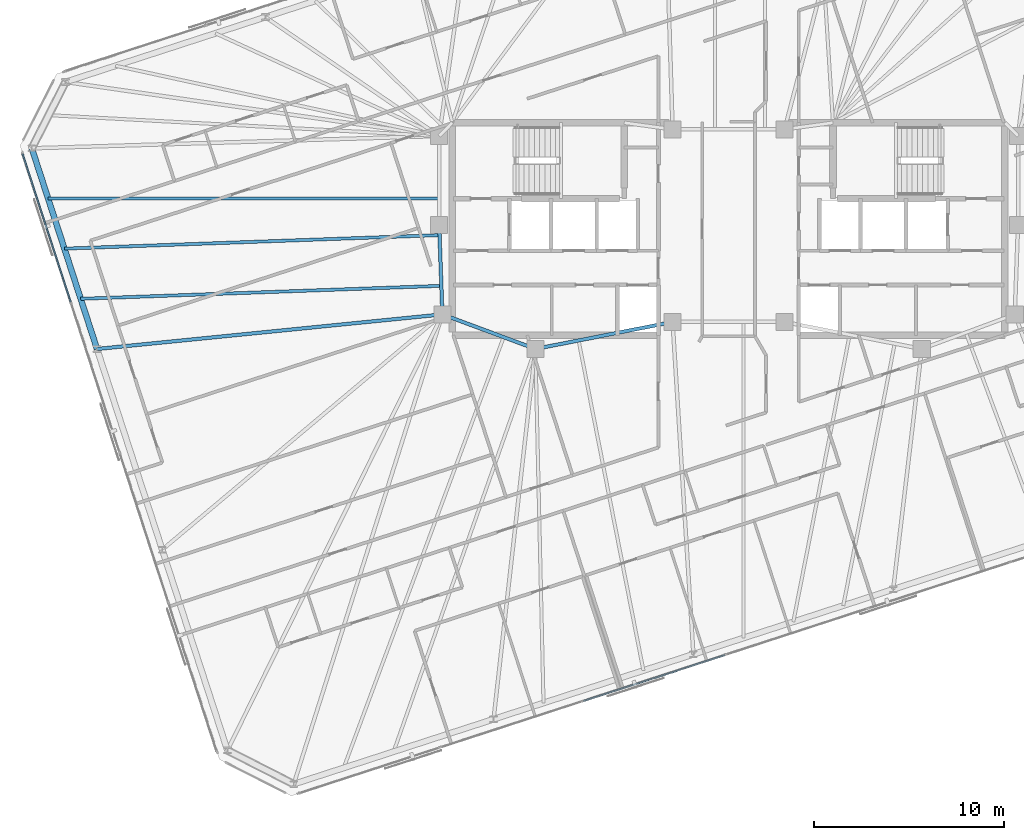
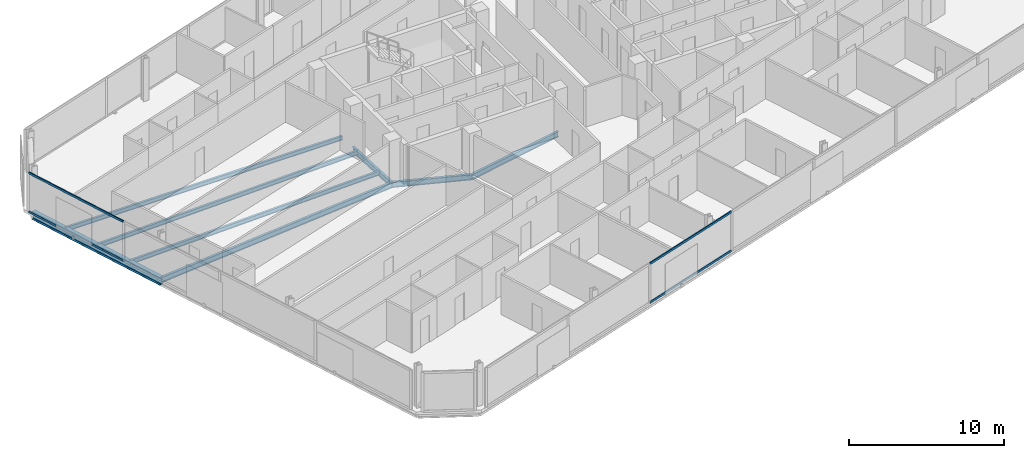
# One storey, part 6 of 20: 8 beams, 4 members, 2 elements without a shape of their own.
"""IFC4 building model written with IfcOpenShell, lengths in metres."""

from ifc_helpers import new_model, si_unit, direction, frame, origin, origin_2d, place, context, subcontext, project, spatial, rectangle, i_section, extrude, material, material_profile, profile_set, type_object, element, aggregate, save


model = new_model("IFC4")

# Units and contexts
model_context = context("Model", 3, precision=1e-05, world=origin(), true_north=direction((0.0, 1.0)))
body_context = subcontext(model_context, "Body", "Model", "MODEL_VIEW")
ifc_project = project(units=[si_unit("LENGTHUNIT", "METRE"), si_unit("AREAUNIT", "SQUARE_METRE"), si_unit("VOLUMEUNIT", "CUBIC_METRE"), si_unit("PLANEANGLEUNIT", "RADIAN"), si_unit("MASSUNIT", "GRAM", prefix="KILO")], contexts=[model_context])

# Site, building, storey
site_placement = place(None, origin())
site = spatial("IfcSite", under=ifc_project, at=site_placement, CompositionType="ELEMENT")
building_placement = place(site_placement, origin())
building = spatial("IfcBuilding", under=site, at=building_placement, Name="Menara Jurai Vektor", CompositionType="ELEMENT")
storey_placement = place(building_placement, frame((0.0, 0.0, 227.64990234375)))
storey = spatial("IfcBuildingStorey", under=building, at=storey_placement, Name="L60", CompositionType="ELEMENT", Elevation=227.64990234375)

# Curtain wall, members
ifc_material_1 = material(Name="Anodised Pale Aluminium & Low-E Double Glazing", Category="aluminium")
curtain_wall_type = type_object("IfcCurtainWallType", Name="CW-BLK4", PredefinedType="NOTDEFINED", material=ifc_material_1)
curtain_wall_1_placement = place(storey_placement, origin())
curtain_wall_1 = element("IfcCurtainWall", 1, at=curtain_wall_1_placement, inside=storey, type_object=curtain_wall_type, Name="Unitised Curtain Wall L60 F01", PredefinedType="NOTDEFINED")
ifc_material_2 = material(Name="Anodised Pale Aluminium Transom", Category="aluminium")
ifc_material_profile_1 = material_profile(ifc_material_2, rectangle(XDim=0.080078125, YDim=0.1650390625, at=origin_2d()), Name="ALU TRN 80x165")
ifc_profile_set_1 = profile_set([ifc_material_profile_1], Name="Anodised Pale Aluminium Transom")
member_type = type_object("IfcMemberType", Name="CW-BLK4-TRN", PredefinedType="USERDEFINED", material=ifc_profile_set_1)
member_1_placement = place(storey_placement, frame((-7.639404296875, -24.86669921875, 0.0400390625), z_axis=(0.951059330237, 0.309008333817, 0.0), x_axis=(-0.309008333817, 0.951059330237, 0.0)))
member_1 = element("IfcMember", 2, at=member_1_placement, type_object=member_type, Name="CW-04 transom 3.1", ObjectType="TRANSOM", PredefinedType="USERDEFINED", context=body_context, shape_type="SweptSolid", body=[
    extrude(rectangle(XDim=0.080078125, YDim=0.1650390625, at=origin_2d()), origin(), (0.0, 0.0, 1.0), 7.8115234375),
])
member_2_placement = place(storey_placement, frame((-7.639404296875, -24.86669921875, 3.085205078125), z_axis=(0.951059330237, 0.309008333817, 0.0), x_axis=(-0.309008333817, 0.951059330237, 0.0)))
member_2 = element("IfcMember", 3, at=member_2_placement, type_object=member_type, Name="CW-04 transom 3.2", ObjectType="TRANSOM", PredefinedType="USERDEFINED", context=body_context, shape_type="SweptSolid", body=[
    extrude(rectangle(XDim=0.080078125, YDim=0.1650390625, at=origin_2d()), origin(), (0.0, 0.0, 1.0), 7.8115234375),
])
aggregate(curtain_wall_1, [member_1, member_2])

curtain_wall_2_placement = place(storey_placement, origin())
curtain_wall_2 = element("IfcCurtainWall", 4, at=curtain_wall_2_placement, inside=storey, type_object=curtain_wall_type, Name="Unitised Curtain Wall L60 F07", PredefinedType="NOTDEFINED")
member_3_placement = place(storey_placement, frame((-37.19384765625, 3.950927734375, 0.0400390625), z_axis=(0.309010577384, -0.951058601278, 0.0), x_axis=(0.951058601278, 0.309010577384, 0.0)))
member_3 = element("IfcMember", 5, at=member_3_placement, type_object=member_type, Name="CW-04 transom 1.1", ObjectType="TRANSOM", PredefinedType="USERDEFINED", context=body_context, shape_type="SweptSolid", body=[
    extrude(rectangle(XDim=0.080078125, YDim=0.1650390625, at=origin_2d()), origin(), (0.0, 0.0, 1.0), 8.18994140625),
])
member_4_placement = place(storey_placement, frame((-37.19384765625, 3.950927734375, 3.085205078125), z_axis=(0.309010577384, -0.951058601278, 0.0), x_axis=(0.951058601278, 0.309010577384, 0.0)))
member_4 = element("IfcMember", 6, at=member_4_placement, type_object=member_type, Name="CW-04 transom 1.2", ObjectType="TRANSOM", PredefinedType="USERDEFINED", context=body_context, shape_type="SweptSolid", body=[
    extrude(rectangle(XDim=0.080078125, YDim=0.1650390625, at=origin_2d()), origin(), (0.0, 0.0, 1.0), 8.18994140625),
])
aggregate(curtain_wall_2, [member_3, member_4])

# Beams
ifc_material_3 = material(Name="Steel S355", Category="steel")
ifc_material_profile_2 = material_profile(ifc_material_3, i_section(OverallWidth=0.18505859375, OverallDepth=0.429931640625, WebThickness=0.010986328125, FlangeThickness=0.01806640625, at=origin_2d()), Name="PG 430x185x76")
ifc_profile_set_2 = profile_set([ifc_material_profile_2], Name="Steel S355")
beam_type_1 = type_object("IfcBeamType", Name="STR-BM-430", PredefinedType="BEAM", material=ifc_profile_set_2)
beam_1_placement = place(storey_placement, frame((-15.080078125, -4.5, -0.43994140625), z_axis=(-0.035977314146, 0.999352606874, 0.0), x_axis=(-0.999352606874, -0.035977314146, 0.0)))
element("IfcBeam", 7, at=beam_1_placement, inside=storey, type_object=beam_type_1, Name="Core Ring Header Girder L60-CHW-W2", PredefinedType="BEAM", context=body_context, shape_type="SweptSolid", body=[
    extrude(i_section(OverallWidth=0.18505859375, OverallDepth=0.429931640625, WebThickness=0.010986328125, FlangeThickness=0.01806640625, at=origin_2d()), origin(), (0.0, 0.0, 1.0), 4.72314453125),
])
beam_2_placement = place(storey_placement, frame((-15.080078125, -4.5, -0.43994140625), z_axis=(0.937424400887, -0.348188874925, 0.0), x_axis=(0.348188874925, 0.937424400887, 0.0)))
element("IfcBeam", 8, at=beam_2_placement, inside=storey, type_object=beam_type_1, Name="Core Ring Header Girder L60-CHW-S1", PredefinedType="BEAM", context=body_context, shape_type="SweptSolid", body=[
    extrude(i_section(OverallWidth=0.18505859375, OverallDepth=0.429931640625, WebThickness=0.010986328125, FlangeThickness=0.01806640625, at=origin_2d()), origin(), (0.0, 0.0, 1.0), 5.227294921875),
])
beam_3_placement = place(storey_placement, frame((-10.179931640625, -6.320068359375, -0.43994140625), z_axis=(0.981249044334, 0.192744164614, 0.0), x_axis=(-0.192744164614, 0.981249044334, 0.0)))
element("IfcBeam", 9, at=beam_3_placement, inside=storey, type_object=beam_type_1, Name="Core Ring Header Girder L60-CHW-S2", PredefinedType="BEAM", context=body_context, shape_type="SweptSolid", body=[
    extrude(i_section(OverallWidth=0.18505859375, OverallDepth=0.429931640625, WebThickness=0.010986328125, FlangeThickness=0.01806640625, at=origin_2d()), origin(), (0.0, 0.0, 1.0), 7.3681640625),
])
beam_4_placement = place(storey_placement, frame((-33.277587890625, -6.322509765625, -0.43994140625), z_axis=(0.995022243563, 0.099653072276, 0.0), x_axis=(-0.099653072276, 0.995022243563, 0.0)))
element("IfcBeam", 10, at=beam_4_placement, inside=storey, type_object=beam_type_1, Name="Radial Floor Girder L60-W2", PredefinedType="BEAM", context=body_context, shape_type="SweptSolid", body=[
    extrude(i_section(OverallWidth=0.18505859375, OverallDepth=0.429931640625, WebThickness=0.010986328125, FlangeThickness=0.01806640625, at=origin_2d()), origin(), (0.0, 0.0, 1.0), 18.28857421875),
])
ifc_material_profile_3 = material_profile(ifc_material_3, i_section(OverallWidth=0.1650390625, OverallDepth=0.330078125, WebThickness=0.009033203125, FlangeThickness=0.013916015625, at=origin_2d()), Name="PG 330x165x46")
ifc_profile_set_3 = profile_set([ifc_material_profile_3], Name="Steel S355")
beam_type_2 = type_object("IfcBeamType", Name="STR-JS-330", PredefinedType="JOIST", material=ifc_profile_set_3)
beam_5_placement = place(storey_placement, frame((-35.8544921875, 1.6083984375, -0.389892578125), z_axis=(1.0, 0.0, 0.0), x_axis=(0.0, 1.0, 0.0)))
element("IfcBeam", 11, at=beam_5_placement, inside=storey, type_object=beam_type_2, Name="Radial Secondary Floor Joist L60-JS28", PredefinedType="JOIST", context=body_context, shape_type="SweptSolid", body=[
    extrude(i_section(OverallWidth=0.1650390625, OverallDepth=0.330078125, WebThickness=0.009033203125, FlangeThickness=0.013916015625, at=origin_2d()), origin(), (0.0, 0.0, 1.0), 20.6044921875),
])
beam_6_placement = place(storey_placement, frame((-34.99560546875, -1.03515625, -0.389892578125), z_axis=(0.999351957959, 0.035995334734, 0.0), x_axis=(-0.035995334734, 0.999351957959, 0.0)))
element("IfcBeam", 12, at=beam_6_placement, inside=storey, type_object=beam_type_2, Name="Radial Secondary Floor Joist L60-JS29", PredefinedType="JOIST", context=body_context, shape_type="SweptSolid", body=[
    extrude(i_section(OverallWidth=0.1650390625, OverallDepth=0.330078125, WebThickness=0.009033203125, FlangeThickness=0.013916015625, at=origin_2d()), origin(), (0.0, 0.0, 1.0), 19.77783203125),
])
beam_7_placement = place(storey_placement, frame((-34.136474609375, -3.6787109375, -0.389892578125), z_axis=(0.999352161922, 0.035989671603, 0.0), x_axis=(-0.035989671603, 0.999352161922, 0.0)))
element("IfcBeam", 13, at=beam_7_placement, inside=storey, type_object=beam_type_2, Name="Radial Secondary Floor Joist L60-JS30", PredefinedType="JOIST", context=body_context, shape_type="SweptSolid", body=[
    extrude(i_section(OverallWidth=0.1650390625, OverallDepth=0.330078125, WebThickness=0.009033203125, FlangeThickness=0.013916015625, at=origin_2d()), origin(), (0.0, 0.0, 1.0), 19.014404296875),
])
ifc_material_profile_4 = material_profile(ifc_material_3, i_section(OverallWidth=0.306884765625, OverallDepth=0.6201171875, WebThickness=0.013916015625, FlangeThickness=0.02392578125, FilletRadius=0.01708984375, at=origin_2d()), Name="UKB 610x305x179")
ifc_profile_set_4 = profile_set([ifc_material_profile_4], Name="Steel S355")
beam_type_3 = type_object("IfcBeamType", Name="STR-SP-610", PredefinedType="SPANDREL", material=ifc_profile_set_4)
beam_8_placement = place(storey_placement, frame((-36.71337890625, 4.251953125, -0.534912109375), z_axis=(0.309012092614, -0.95105810896, 0.0), x_axis=(0.95105810896, 0.309012092614, 0.0)))
element("IfcBeam", 14, at=beam_8_placement, inside=storey, type_object=beam_type_3, Name="Exoskeleton Spandrel Beam L60-17", PredefinedType="SPANDREL", context=body_context, shape_type="SweptSolid", body=[
    extrude(i_section(OverallWidth=0.306884765625, OverallDepth=0.6201171875, WebThickness=0.013916015625, FlangeThickness=0.02392578125, FilletRadius=0.01708984375, at=origin_2d()), origin(), (0.0, 0.0, 1.0), 11.11865234375),
])

save(model, "model.ifc")
